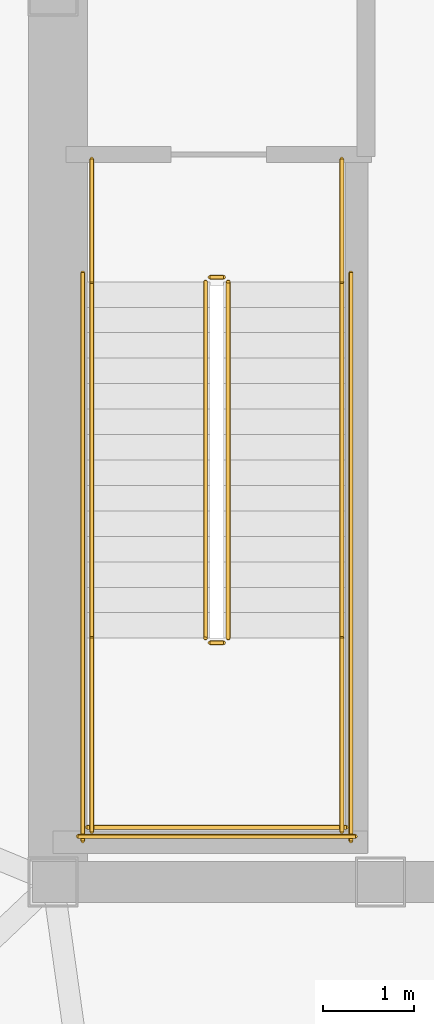
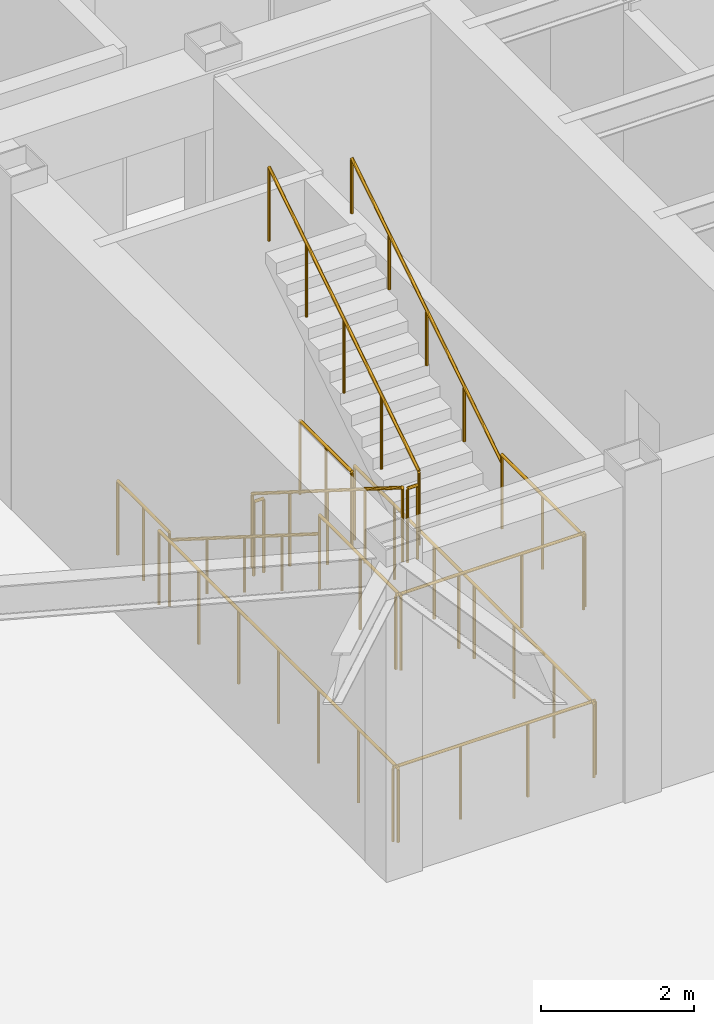
# One storey, part 22 of 23: 14 railings.
"""IFC4 building model written with IfcOpenShell, lengths in metres."""

from ifc_helpers import new_model, si_unit, direction, frame, origin, origin_2d, place, context, subcontext, project, spatial, circle, extrude, material, type_object, element, save


model = new_model("IFC4")

# Units and contexts
model_context = context("Model", 3, precision=1e-05, world=origin(), true_north=direction((0.0, 1.0)))
body_context = subcontext(model_context, "Body", "Model", "MODEL_VIEW")
ifc_project = project(units=[si_unit("LENGTHUNIT", "METRE"), si_unit("AREAUNIT", "SQUARE_METRE"), si_unit("VOLUMEUNIT", "CUBIC_METRE"), si_unit("PLANEANGLEUNIT", "RADIAN"), si_unit("MASSUNIT", "GRAM", prefix="KILO")], contexts=[model_context])

# Site, building, storey
site_placement = place(None, origin())
site = spatial("IfcSite", under=ifc_project, at=site_placement, CompositionType="ELEMENT")
building_placement = place(site_placement, origin())
building = spatial("IfcBuilding", under=site, at=building_placement, Name="Voryun Gate Residences", CompositionType="ELEMENT")
storey_placement = place(building_placement, frame((0.0, 0.0, 326.60009765625)))
storey = spatial("IfcBuildingStorey", under=building, at=storey_placement, Name="L80", CompositionType="ELEMENT", Elevation=326.60009765625)

# Railings
ifc_material_1 = material(Name="Painted steel", Category="steel")
railing_type_1 = type_object("IfcRailingType", Name="RAIL_STAIR_GUARD_1200", PredefinedType="GUARDRAIL", material=ifc_material_1)
railing_1_placement = place(storey_placement, frame((-17.52490234375, -0.800048828125, 0.176513671875)))
element("IfcRailing", 1, at=railing_1_placement, inside=storey, type_object=railing_type_1, Name="L80 ST-W1 stair guard 1", PredefinedType="GUARDRAIL", context=body_context, shape_type="SweptSolid", body=[
    extrude(circle(Radius=0.02392578125, at=origin_2d()), frame((0.0, 0.0, 1.17578125), z_axis=(0.0, -0.845717874625, 0.533630280756), x_axis=(1.0, 0.0, 0.0)), (0.0, 0.0, 1.0), 4.635009765625),
    extrude(circle(Radius=0.02099609375, at=origin_2d()), origin(), (0.0, 0.0, 1.0), 1.15185546875),
    extrude(circle(Radius=0.02099609375, at=origin_2d()), frame((0.0, -0.97998046875, 0.618408203125)), (0.0, 0.0, 1.0), 1.15185546875),
    extrude(circle(Radius=0.02099609375, at=origin_2d()), frame((0.0, -1.9599609375, 1.23681640625)), (0.0, 0.0, 1.0), 1.15185546875),
    extrude(circle(Radius=0.02099609375, at=origin_2d()), frame((0.0, -2.93994140625, 1.85498046875)), (0.0, 0.0, 1.0), 1.15185546875),
    extrude(circle(Radius=0.02099609375, at=origin_2d()), frame((0.0, -3.919921875, 2.473388671875)), (0.0, 0.0, 1.0), 1.15185546875),
])
railing_2_placement = place(storey_placement, frame((-17.47509765625, -4.77001953125, 2.64990234375)))
element("IfcRailing", 2, at=railing_2_placement, inside=storey, type_object=railing_type_1, Name="L80 ST-W1 stair guard 2", PredefinedType="GUARDRAIL", context=body_context, shape_type="SweptSolid", body=[
    extrude(circle(Radius=0.02392578125, at=origin_2d()), frame((0.0, 0.0, 1.17578125), z_axis=(1.0, 0.0, 0.0), x_axis=(0.0, 1.0, 0.0)), (0.0, 0.0, 1.0), 0.150146484375),
    extrude(circle(Radius=0.02099609375, at=origin_2d()), origin(), (0.0, 0.0, 1.0), 1.15185546875),
    extrude(circle(Radius=0.02099609375, at=origin_2d()), frame((0.150146484375, 0.0, 0.0)), (0.0, 0.0, 1.0), 1.15185546875),
])
for number, where, name in (
    (3, (-18.77490234375, -4.719970703125, 2.64990234375), "L80 ST-W1 stair guard 3"),
    (4, (-16.02490234375, -4.719970703125, 2.64990234375), "L80 ST-W1 stair guard 4"),
):
    element("IfcRailing", number, at=place(storey_placement, frame(where)), inside=storey, type_object=railing_type_1, Name=name, PredefinedType="GUARDRAIL", context=body_context, shape_type="SweptSolid", body=[
        extrude(circle(Radius=0.02392578125, at=origin_2d()), frame((0.0, 0.0, 1.17578125), z_axis=(0.0, -1.0, 0.0), x_axis=(1.0, 0.0, 0.0)), (0.0, 0.0, 1.0), 2.130126953125),
        extrude(circle(Radius=0.02099609375, at=origin_2d()), origin(), (0.0, 0.0, 1.0), 1.15185546875),
        extrude(circle(Radius=0.02099609375, at=origin_2d()), frame((0.0, -1.06494140625, 0.0)), (0.0, 0.0, 1.0), 1.15185546875),
        extrude(circle(Radius=0.02099609375, at=origin_2d()), frame((0.0, -2.130126953125, 0.0)), (0.0, 0.0, 1.0), 1.15185546875),
    ])
railing_3_placement = place(storey_placement, frame((-18.824951171875, -6.800048828125, 2.64990234375)))
element("IfcRailing", 5, at=railing_3_placement, inside=storey, type_object=railing_type_1, Name="L80 ST-W1 stair guard 5", PredefinedType="GUARDRAIL", context=body_context, shape_type="SweptSolid", body=[
    extrude(circle(Radius=0.02392578125, at=origin_2d()), frame((0.0, 0.0, 1.17578125), z_axis=(1.0, 0.0, 0.0), x_axis=(0.0, 1.0, 0.0)), (0.0, 0.0, 1.0), 2.849853515625),
    extrude(circle(Radius=0.02099609375, at=origin_2d()), origin(), (0.0, 0.0, 1.0), 1.15185546875),
    extrude(circle(Radius=0.02099609375, at=origin_2d()), frame((0.949951171875, 0.0, 0.0)), (0.0, 0.0, 1.0), 1.15185546875),
    extrude(circle(Radius=0.02099609375, at=origin_2d()), frame((1.89990234375, 0.0, 0.0)), (0.0, 0.0, 1.0), 1.15185546875),
    extrude(circle(Radius=0.02099609375, at=origin_2d()), frame((2.849853515625, 0.0, 0.0)), (0.0, 0.0, 1.0), 1.15185546875),
])
railing_4_placement = place(storey_placement, frame((-17.27490234375, -4.719970703125, 2.82666015625)))
element("IfcRailing", 6, at=railing_4_placement, inside=storey, type_object=railing_type_1, Name="L80 ST-W1 stair guard 6", PredefinedType="GUARDRAIL", context=body_context, shape_type="SweptSolid", body=[
    extrude(circle(Radius=0.02392578125, at=origin_2d()), frame((0.0, 0.0, 1.17578125), z_axis=(0.0, 0.845741645819, 0.53359260539), x_axis=(-1.0, 0.0, 0.0)), (0.0, 0.0, 1.0), 4.635009765625),
    extrude(circle(Radius=0.02099609375, at=origin_2d()), origin(), (0.0, 0.0, 1.0), 1.15185546875),
    extrude(circle(Radius=0.02099609375, at=origin_2d()), frame((0.0, 0.97998046875, 0.6181640625)), (0.0, 0.0, 1.0), 1.15185546875),
    extrude(circle(Radius=0.02099609375, at=origin_2d()), frame((0.0, 1.9599609375, 1.236572265625)), (0.0, 0.0, 1.0), 1.15185546875),
    extrude(circle(Radius=0.02099609375, at=origin_2d()), frame((0.0, 2.93994140625, 1.85498046875)), (0.0, 0.0, 1.0), 1.15185546875),
    extrude(circle(Radius=0.02099609375, at=origin_2d()), frame((0.0, 3.919921875, 2.47314453125)), (0.0, 0.0, 1.0), 1.15185546875),
])
railing_5_placement = place(storey_placement, frame((-17.47509765625, -0.75, 0.0)))
element("IfcRailing", 7, at=railing_5_placement, inside=storey, type_object=railing_type_1, Name="L80 ST-W1 stair guard 7", PredefinedType="GUARDRAIL", context=body_context, shape_type="SweptSolid", body=[
    extrude(circle(Radius=0.02392578125, at=origin_2d()), frame((0.0, 0.0, 1.17578125), z_axis=(1.0, 0.0, 0.0), x_axis=(0.0, 1.0, 0.0)), (0.0, 0.0, 1.0), 0.150146484375),
    extrude(circle(Radius=0.02099609375, at=origin_2d()), origin(), (0.0, 0.0, 1.0), 1.15185546875),
    extrude(circle(Radius=0.02099609375, at=origin_2d()), frame((0.150146484375, 0.0, 0.0)), (0.0, 0.0, 1.0), 1.15185546875),
])
for number, where, name in (
    (8, (-18.77490234375, 0.550048828125, 0.0), "L80 ST-W1 stair guard 8"),
    (9, (-16.02490234375, 0.550048828125, 0.0), "L80 ST-W1 stair guard 9"),
):
    element("IfcRailing", number, at=place(storey_placement, frame(where)), inside=storey, type_object=railing_type_1, Name=name, PredefinedType="GUARDRAIL", context=body_context, shape_type="SweptSolid", body=[
        extrude(circle(Radius=0.02392578125, at=origin_2d()), frame((0.0, 0.0, 1.17578125), z_axis=(0.0, -1.0, 0.0), x_axis=(1.0, 0.0, 0.0)), (0.0, 0.0, 1.0), 1.35009765625),
        extrude(circle(Radius=0.02099609375, at=origin_2d()), origin(), (0.0, 0.0, 1.0), 1.15185546875),
        extrude(circle(Radius=0.02099609375, at=origin_2d()), frame((0.0, -0.675048828125, 0.0)), (0.0, 0.0, 1.0), 1.15185546875),
        extrude(circle(Radius=0.02099609375, at=origin_2d()), frame((0.0, -1.35009765625, 0.0)), (0.0, 0.0, 1.0), 1.15185546875),
    ])
for number, where, name in (
    (10, (-18.875, -0.699951171875, 0.0), "L80 ST-W1 stair guard 10"),
    (11, (-15.925048828125, -0.699951171875, 0.0), "L80 ST-W1 stair guard 11"),
):
    element("IfcRailing", number, at=place(storey_placement, frame(where)), inside=storey, type_object=railing_type_1, Name=name, PredefinedType="GUARDRAIL", context=body_context, shape_type="SweptSolid", body=[
        extrude(circle(Radius=0.02392578125, at=origin_2d()), frame((0.0, 0.0, 1.17578125), z_axis=(0.0, -1.0, 0.0), x_axis=(1.0, 0.0, 0.0)), (0.0, 0.0, 1.0), 6.25),
        extrude(circle(Radius=0.02099609375, at=origin_2d()), origin(), (0.0, 0.0, 1.0), 1.15185546875),
        extrude(circle(Radius=0.02099609375, at=origin_2d()), frame((0.0, -1.041748046875, 0.0)), (0.0, 0.0, 1.0), 1.15185546875),
        extrude(circle(Radius=0.02099609375, at=origin_2d()), frame((0.0, -2.083251953125, 0.0)), (0.0, 0.0, 1.0), 1.15185546875),
        extrude(circle(Radius=0.02099609375, at=origin_2d()), frame((0.0, -3.125, 0.0)), (0.0, 0.0, 1.0), 1.15185546875),
        extrude(circle(Radius=0.02099609375, at=origin_2d()), frame((0.0, -4.166748046875, 0.0)), (0.0, 0.0, 1.0), 1.15185546875),
        extrude(circle(Radius=0.02099609375, at=origin_2d()), frame((0.0, -5.208251953125, 0.0)), (0.0, 0.0, 1.0), 1.15185546875),
        extrude(circle(Radius=0.02099609375, at=origin_2d()), frame((0.0, -6.25, 0.0)), (0.0, 0.0, 1.0), 1.15185546875),
    ])
railing_6_placement = place(storey_placement, frame((-18.925048828125, -6.89990234375, 0.0)))
element("IfcRailing", 12, at=railing_6_placement, inside=storey, type_object=railing_type_1, Name="L80 ST-W1 stair guard 12", PredefinedType="GUARDRAIL", context=body_context, shape_type="SweptSolid", body=[
    extrude(circle(Radius=0.02392578125, at=origin_2d()), frame((0.0, 0.0, 1.17578125), z_axis=(1.0, 0.0, 0.0), x_axis=(0.0, 1.0, 0.0)), (0.0, 0.0, 1.0), 3.050048828125),
    extrude(circle(Radius=0.02099609375, at=origin_2d()), origin(), (0.0, 0.0, 1.0), 1.15185546875),
    extrude(circle(Radius=0.02099609375, at=origin_2d()), frame((1.0166015625, 0.0, 0.0)), (0.0, 0.0, 1.0), 1.15185546875),
    extrude(circle(Radius=0.02099609375, at=origin_2d()), frame((2.033447265625, 0.0, 0.0)), (0.0, 0.0, 1.0), 1.15185546875),
    extrude(circle(Radius=0.02099609375, at=origin_2d()), frame((3.050048828125, 0.0, 0.0)), (0.0, 0.0, 1.0), 1.15185546875),
])
ifc_material_2 = material(Name="Painted steel", Category="steel")
railing_type_2 = type_object("IfcRailingType", Name="RAIL_STAIR_HANDRAIL_900", PredefinedType="HANDRAIL", material=ifc_material_2)
railing_7_placement = place(storey_placement, frame((-18.77490234375, -0.800048828125, 0.176513671875)))
element("IfcRailing", 13, at=railing_7_placement, inside=storey, type_object=railing_type_2, Name="L80 ST-W1 stair handrail 1", PredefinedType="HANDRAIL", context=body_context, shape_type="SweptSolid", body=[
    extrude(circle(Radius=0.02392578125, at=origin_2d()), frame((0.0, 0.0, 0.8759765625), z_axis=(0.0, -0.845717874625, 0.533630280756), x_axis=(1.0, 0.0, 0.0)), (0.0, 0.0, 1.0), 4.635009765625),
    extrude(circle(Radius=0.02099609375, at=origin_2d()), origin(), (0.0, 0.0, 1.0), 0.851806640625),
    extrude(circle(Radius=0.02099609375, at=origin_2d()), frame((0.0, -0.97998046875, 0.618408203125)), (0.0, 0.0, 1.0), 0.851806640625),
    extrude(circle(Radius=0.02099609375, at=origin_2d()), frame((0.0, -1.9599609375, 1.23681640625)), (0.0, 0.0, 1.0), 0.851806640625),
    extrude(circle(Radius=0.02099609375, at=origin_2d()), frame((0.0, -2.93994140625, 1.85498046875)), (0.0, 0.0, 1.0), 0.851806640625),
    extrude(circle(Radius=0.02099609375, at=origin_2d()), frame((0.0, -3.919921875, 2.473388671875)), (0.0, 0.0, 1.0), 0.851806640625),
])
railing_8_placement = place(storey_placement, frame((-16.02490234375, -4.719970703125, 2.82666015625)))
element("IfcRailing", 14, at=railing_8_placement, inside=storey, type_object=railing_type_2, Name="L80 ST-W1 stair handrail 2", PredefinedType="HANDRAIL", context=body_context, shape_type="SweptSolid", body=[
    extrude(circle(Radius=0.02392578125, at=origin_2d()), frame((0.0, 0.0, 0.8759765625), z_axis=(0.0, 0.845741645819, 0.53359260539), x_axis=(-1.0, 0.0, 0.0)), (0.0, 0.0, 1.0), 4.635009765625),
    extrude(circle(Radius=0.02099609375, at=origin_2d()), origin(), (0.0, 0.0, 1.0), 0.851806640625),
    extrude(circle(Radius=0.02099609375, at=origin_2d()), frame((0.0, 0.97998046875, 0.6181640625)), (0.0, 0.0, 1.0), 0.851806640625),
    extrude(circle(Radius=0.02099609375, at=origin_2d()), frame((0.0, 1.9599609375, 1.236572265625)), (0.0, 0.0, 1.0), 0.851806640625),
    extrude(circle(Radius=0.02099609375, at=origin_2d()), frame((0.0, 2.93994140625, 1.85498046875)), (0.0, 0.0, 1.0), 0.851806640625),
    extrude(circle(Radius=0.02099609375, at=origin_2d()), frame((0.0, 3.919921875, 2.47314453125)), (0.0, 0.0, 1.0), 0.851806640625),
])

save(model, "model.ifc")
